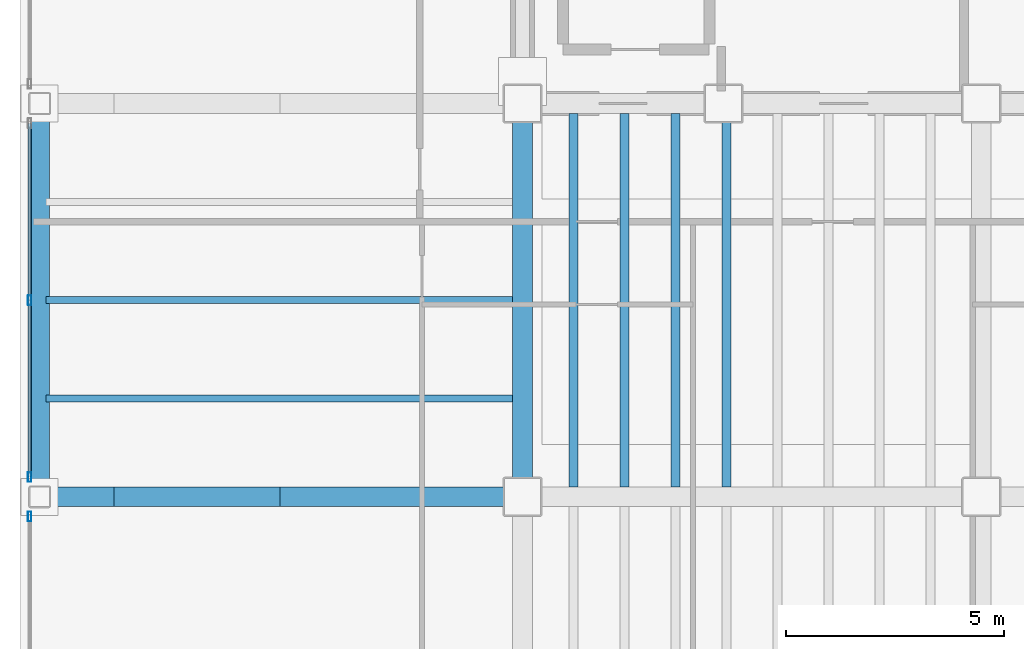
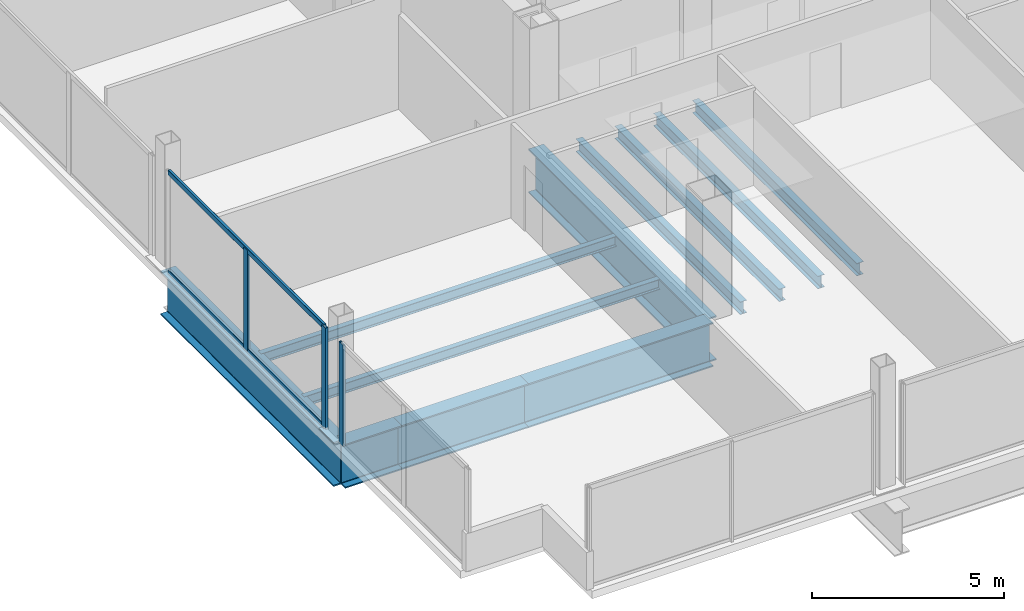
# One storey, part 4 of 24: 11 beams, 5 members, 2 elements without a shape of their own.
"""IFC4 building model written with IfcOpenShell, lengths in metres."""

from ifc_helpers import new_model, si_unit, direction, frame, origin, origin_2d, place, context, subcontext, project, spatial, hollow_rectangle, i_section, extrude, material, material_profile, profile_set, type_object, element, aggregate, save


model = new_model("IFC4")

# Units and contexts
model_context = context("Model", 3, precision=1e-05, world=origin(), true_north=direction((0.0, 1.0)))
body_context = subcontext(model_context, "Body", "Model", "MODEL_VIEW")
ifc_project = project(units=[si_unit("LENGTHUNIT", "METRE"), si_unit("AREAUNIT", "SQUARE_METRE"), si_unit("VOLUMEUNIT", "CUBIC_METRE"), si_unit("PLANEANGLEUNIT", "RADIAN"), si_unit("MASSUNIT", "GRAM", prefix="KILO")], contexts=[model_context])

# Site, building, storey
site_placement = place(None, origin())
site = spatial("IfcSite", under=ifc_project, at=site_placement, CompositionType="ELEMENT")
building_placement = place(site_placement, origin())
building = spatial("IfcBuilding", under=site, at=building_placement, Name="Noeulbin Bourse Tower", CompositionType="ELEMENT")
storey_placement = place(building_placement, frame((0.0, 0.0, 114.89990234375)))
storey = spatial("IfcBuildingStorey", under=building, at=storey_placement, Name="L28", CompositionType="ELEMENT", Elevation=114.89990234375)

# Beams
ifc_material_1 = material(Name="Steel S355", Category="steel")
ifc_material_profile_1 = material_profile(ifc_material_1, i_section(OverallWidth=0.159912109375, OverallDepth=0.320068359375, WebThickness=0.006591796875, FlangeThickness=0.010009765625, FilletRadius=0.012939453125, at=origin_2d()), Name="H-320x160x6.5x10", Category="LoadBearing")
ifc_profile_set_1 = profile_set([ifc_material_profile_1], Name="Steel S355")
beam_type_1 = type_object("IfcBeamType", Name="BM-JST-320", PredefinedType="JOIST", material=ifc_profile_set_1)
for number, where, z_axis, x_axis, name in (
    (1, (2.60009765625, 22.25, -0.39990234375), (1.0, 0.0, 0.0), (0.0, 1.0, 0.0), "Wing Composite Joist L28-W47"),
    (2, (2.60009765625, 24.5, -0.39990234375), (1.0, 0.0, 0.0), (0.0, 1.0, 0.0), "Wing Composite Joist L28-W48"),
):
    element("IfcBeam", number, at=place(storey_placement, frame(where, z_axis=z_axis, x_axis=x_axis)), inside=storey, type_object=beam_type_1, Name=name, PredefinedType="JOIST", context=body_context, shape_type="SweptSolid", body=[
        extrude(i_section(OverallWidth=0.159912109375, OverallDepth=0.320068359375, WebThickness=0.006591796875, FlangeThickness=0.010009765625, FilletRadius=0.012939453125, at=origin_2d()), origin(), (0.0, 0.0, 1.0), 10.6748046875),
    ])
ifc_material_profile_2 = material_profile(ifc_material_1, i_section(OverallWidth=0.199951171875, OverallDepth=0.39990234375, WebThickness=0.008056640625, FlangeThickness=0.012939453125, FilletRadius=0.01611328125, at=origin_2d()), Name="H-400x200x8x13", Category="LoadBearing")
ifc_profile_set_2 = profile_set([ifc_material_profile_2], Name="Steel S355")
beam_type_2 = type_object("IfcBeamType", Name="BM-SEC-400", PredefinedType="BEAM", material=ifc_profile_set_2)
for number, where, z_axis, x_axis, name in (
    (3, (14.666748046875, 20.22509765625, -0.43994140625), (0.0, 1.0, 0.0), (-1.0, 0.0, 0.0), "Tower Composite Joist L28-02"),
    (4, (15.833251953125, 20.22509765625, -0.43994140625), (0.0, 1.0, 0.0), (-1.0, 0.0, 0.0), "Tower Composite Joist L28-04"),
    (5, (17.0, 20.22509765625, -0.43994140625), (0.0, 1.0, 0.0), (-1.0, 0.0, 0.0), "Tower Composite Joist L28-06"),
    (6, (18.166748046875, 20.22509765625, -0.43994140625), (0.0, 1.0, 0.0), (-1.0, 0.0, 0.0), "Tower Composite Joist L28-08"),
):
    element("IfcBeam", number, at=place(storey_placement, frame(where, z_axis=z_axis, x_axis=x_axis)), inside=storey, type_object=beam_type_2, Name=name, PredefinedType="BEAM", context=body_context, shape_type="SweptSolid", body=[
        extrude(i_section(OverallWidth=0.199951171875, OverallDepth=0.39990234375, WebThickness=0.008056640625, FlangeThickness=0.012939453125, FilletRadius=0.01611328125, at=origin_2d()), origin(), (0.0, 0.0, 1.0), 8.5498046875),
    ])
ifc_material_2 = material(Name="Steel S460", Category="steel")
ifc_material_profile_3 = material_profile(ifc_material_2, i_section(OverallWidth=0.449951171875, OverallDepth=1.39990234375, WebThickness=0.02392578125, FlangeThickness=0.0400390625, FilletRadius=0.02392578125, at=origin_2d()), Name="PG-1400x450x24x40", Category="LoadBearing")
ifc_profile_set_3 = profile_set([ifc_material_profile_3], Name="Steel S460")
beam_type_3 = type_object("IfcBeamType", Name="BM-TRF-1400", PredefinedType="USERDEFINED", material=ifc_profile_set_3)
beam_1_placement = place(storey_placement, frame((2.449951171875, 20.0, -0.93994140625), z_axis=(1.0, 0.0, 0.0), x_axis=(0.0, 1.0, 0.0)))
element("IfcBeam", 7, at=beam_1_placement, inside=storey, type_object=beam_type_3, Name="Tower Primary Girder EW L28-1.1", ObjectType="GIRDER", PredefinedType="USERDEFINED", context=body_context, shape_type="SweptSolid", body=[
    extrude(i_section(OverallWidth=0.449951171875, OverallDepth=1.39990234375, WebThickness=0.02392578125, FlangeThickness=0.0400390625, FilletRadius=0.02392578125, at=origin_2d()), origin(), (0.0, 0.0, 1.0), 1.699951171875),
])
beam_2_placement = place(storey_placement, frame((4.14990234375, 20.0, -0.93994140625), z_axis=(1.0, 0.0, 0.0), x_axis=(0.0, 1.0, 0.0)))
element("IfcBeam", 8, at=beam_2_placement, inside=storey, type_object=beam_type_3, Name="Tower Primary Girder EW L28-1.2", ObjectType="GIRDER", PredefinedType="USERDEFINED", context=body_context, shape_type="SweptSolid", body=[
    extrude(i_section(OverallWidth=0.449951171875, OverallDepth=1.39990234375, WebThickness=0.02392578125, FlangeThickness=0.0400390625, FilletRadius=0.02392578125, at=origin_2d()), origin(), (0.0, 0.0, 1.0), 3.800048828125),
])
beam_3_placement = place(storey_placement, frame((7.949951171875, 20.0, -0.93994140625), z_axis=(1.0, 0.0, 0.0), x_axis=(0.0, 1.0, 0.0)))
element("IfcBeam", 9, at=beam_3_placement, inside=storey, type_object=beam_type_3, Name="Tower Primary Girder EW L28-1.3", ObjectType="GIRDER", PredefinedType="USERDEFINED", context=body_context, shape_type="SweptSolid", body=[
    extrude(i_section(OverallWidth=0.449951171875, OverallDepth=1.39990234375, WebThickness=0.02392578125, FlangeThickness=0.0400390625, FilletRadius=0.02392578125, at=origin_2d()), origin(), (0.0, 0.0, 1.0), 5.550048828125),
])
for number, where, z_axis, x_axis, name in (
    (10, (13.5, 20.0, -0.93994140625), (0.0, 1.0, 0.0), (-1.0, 0.0, 0.0), "Tower Primary Girder NS L28-1.2"),
    (11, (2.449951171875, 20.0, -0.93994140625), (0.0, 1.0, 0.0), (-1.0, 0.0, 0.0), "West Spandrel L28-1"),
):
    element("IfcBeam", number, at=place(storey_placement, frame(where, z_axis=z_axis, x_axis=x_axis)), inside=storey, type_object=beam_type_3, Name=name, ObjectType="GIRDER", PredefinedType="USERDEFINED", context=body_context, shape_type="SweptSolid", body=[
        extrude(i_section(OverallWidth=0.449951171875, OverallDepth=1.39990234375, WebThickness=0.02392578125, FlangeThickness=0.0400390625, FilletRadius=0.02392578125, at=origin_2d()), origin(), (0.0, 0.0, 1.0), 9.0),
    ])

# Curtain wall, member
ifc_material_3 = material(Name="Dark Tinted Triple Glazing", Category="glass")
curtain_wall_type = type_object("IfcCurtainWallType", Name="CW-SYS-3", PredefinedType="NOTDEFINED", material=ifc_material_3)
curtain_wall_1_placement = place(storey_placement, origin())
curtain_wall_1 = element("IfcCurtainWall", 12, at=curtain_wall_1_placement, inside=storey, type_object=curtain_wall_type, Name="Unitised Curtain Wall CW-L28-W-S1", PredefinedType="NOTDEFINED")
ifc_material_4 = material(Name="Anodised Aluminium 6063-T6", Category="aluminium")
ifc_material_profile_4 = material_profile(ifc_material_4, hollow_rectangle(XDim=0.074951171875, YDim=0.219970703125, WallThickness=0.0048828125, InnerFilletRadius=0.00244140625, OuterFilletRadius=0.0048828125, at=origin_2d()), Name="ALU-MULL-75x220x5", Category="LoadBearing")
ifc_profile_set_4 = profile_set([ifc_material_profile_4], Name="Anodised Aluminium 6063-T6")
member_type_1 = type_object("IfcMemberType", Name="CW-SYS-3-MUL", PredefinedType="MULLION", material=ifc_profile_set_4)
member_1_placement = place(storey_placement, frame((2.219970703125, 19.550048828125, -0.02001953125), z_axis=(0.0, 0.0, 1.0), x_axis=(1.0, 0.0, 0.0)))
member_1 = element("IfcMember", 13, at=member_1_placement, type_object=member_type_1, Name="Curtain Wall Mullion CW-L28-W-S1-M02", PredefinedType="MULLION", context=body_context, shape_type="SweptSolid", body=[
    extrude(hollow_rectangle(XDim=0.074951171875, YDim=0.219970703125, WallThickness=0.0048828125, InnerFilletRadius=0.00244140625, OuterFilletRadius=0.0048828125, at=origin_2d()), origin(), (0.0, 0.0, 1.0), 3.22021484375),
])
aggregate(curtain_wall_1, [member_1])

# Curtain wall, members
curtain_wall_2_placement = place(storey_placement, origin())
curtain_wall_2 = element("IfcCurtainWall", 14, at=curtain_wall_2_placement, inside=storey, type_object=curtain_wall_type, Name="Unitised Curtain Wall CW-L28-W-S2", PredefinedType="NOTDEFINED")
member_2_placement = place(storey_placement, frame((2.219970703125, 20.449951171875, -0.02001953125), z_axis=(0.0, 0.0, 1.0), x_axis=(1.0, 0.0, 0.0)))
member_2 = element("IfcMember", 15, at=member_2_placement, type_object=member_type_1, Name="Curtain Wall Mullion CW-L28-W-S2-M00", PredefinedType="MULLION", context=body_context, shape_type="SweptSolid", body=[
    extrude(hollow_rectangle(XDim=0.074951171875, YDim=0.219970703125, WallThickness=0.0048828125, InnerFilletRadius=0.00244140625, OuterFilletRadius=0.0048828125, at=origin_2d()), origin(), (0.0, 0.0, 1.0), 3.22021484375),
])
member_3_placement = place(storey_placement, frame((2.219970703125, 24.5, -0.02001953125), z_axis=(0.0, 0.0, 1.0), x_axis=(1.0, 0.0, 0.0)))
member_3 = element("IfcMember", 16, at=member_3_placement, type_object=member_type_1, Name="Curtain Wall Mullion CW-L28-W-S2-M01", PredefinedType="MULLION", context=body_context, shape_type="SweptSolid", body=[
    extrude(hollow_rectangle(XDim=0.074951171875, YDim=0.219970703125, WallThickness=0.0048828125, InnerFilletRadius=0.00244140625, OuterFilletRadius=0.0048828125, at=origin_2d()), origin(), (0.0, 0.0, 1.0), 3.22021484375),
])
ifc_material_profile_5 = material_profile(ifc_material_4, hollow_rectangle(XDim=0.074951171875, YDim=0.159912109375, WallThickness=0.0048828125, InnerFilletRadius=0.00244140625, OuterFilletRadius=0.0048828125, at=origin_2d()), Name="ALU-TRAN-75x160x5", Category="LoadBearing")
ifc_profile_set_5 = profile_set([ifc_material_profile_5], Name="Anodised Aluminium 6063-T6")
member_type_2 = type_object("IfcMemberType", Name="CW-SYS-3-TRN", PredefinedType="USERDEFINED", material=ifc_profile_set_5)
member_4_placement = place(storey_placement, frame((2.219970703125, 20.4599609375, 0.010009765625), z_axis=(0.0, 1.0, 0.0), x_axis=(-1.0, 0.0, 0.0)))
member_4 = element("IfcMember", 17, at=member_4_placement, type_object=member_type_2, Name="Curtain Wall Transom CW-L28-W-S2-T00", ObjectType="TRANSOM", PredefinedType="USERDEFINED", context=body_context, shape_type="SweptSolid", body=[
    extrude(hollow_rectangle(XDim=0.074951171875, YDim=0.159912109375, WallThickness=0.0048828125, InnerFilletRadius=0.00244140625, OuterFilletRadius=0.0048828125, at=origin_2d()), origin(), (0.0, 0.0, 1.0), 8.080078125),
])
member_5_placement = place(storey_placement, frame((2.219970703125, 20.4599609375, 3.170166015625), z_axis=(0.0, 1.0, 0.0), x_axis=(-1.0, 0.0, 0.0)))
member_5 = element("IfcMember", 18, at=member_5_placement, type_object=member_type_2, Name="Curtain Wall Transom CW-L28-W-S2-T01", ObjectType="TRANSOM", PredefinedType="USERDEFINED", context=body_context, shape_type="SweptSolid", body=[
    extrude(hollow_rectangle(XDim=0.074951171875, YDim=0.159912109375, WallThickness=0.0048828125, InnerFilletRadius=0.00244140625, OuterFilletRadius=0.0048828125, at=origin_2d()), origin(), (0.0, 0.0, 1.0), 8.080078125),
])
aggregate(curtain_wall_2, [member_2, member_3, member_4, member_5])

save(model, "model.ifc")
